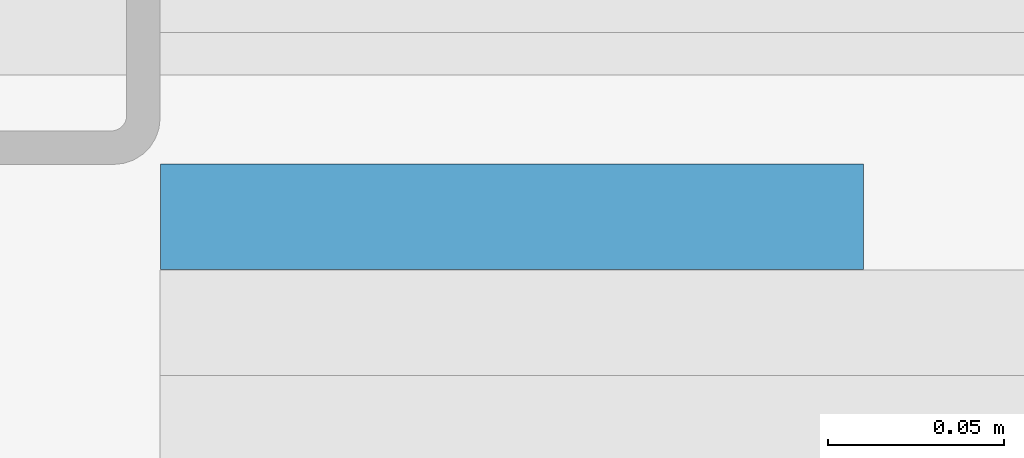
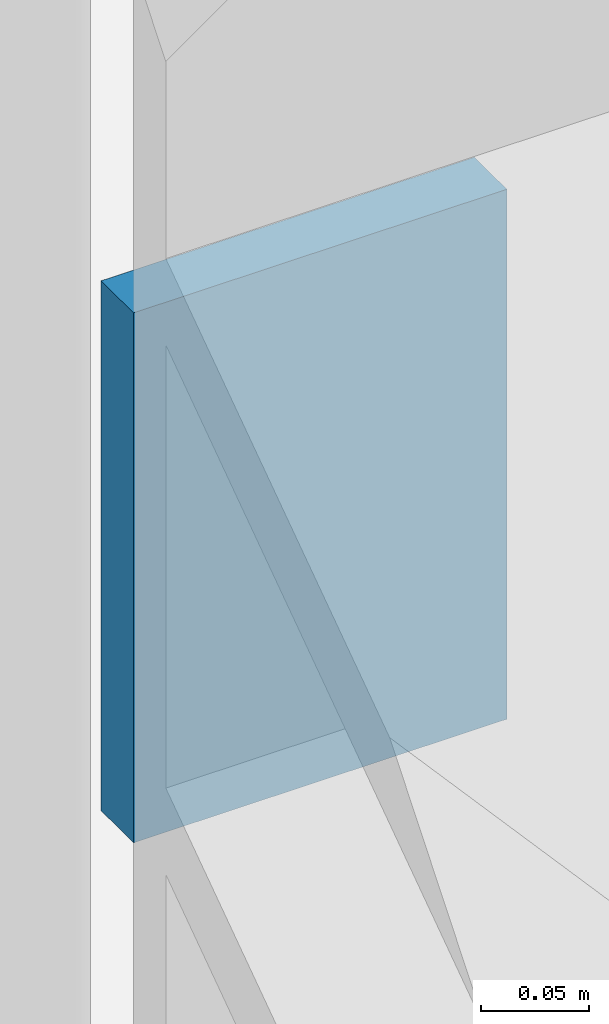
# One storey, part 19 of 29: 1 discrete accessory.
"""IFC4 building model written with IfcOpenShell, lengths in metres."""

from ifc_helpers import new_model, si_unit, direction, frame, origin, origin_2d, place, context, subcontext, project, spatial, rectangle, extrude, material, type_object, element, save


model = new_model("IFC4")

# Units and contexts
model_context = context("Model", 3, precision=1e-05, world=origin(), true_north=direction((0.0, 1.0)))
body_context = subcontext(model_context, "Body", "Model", "MODEL_VIEW")
ifc_project = project(units=[si_unit("LENGTHUNIT", "METRE"), si_unit("AREAUNIT", "SQUARE_METRE"), si_unit("VOLUMEUNIT", "CUBIC_METRE"), si_unit("PLANEANGLEUNIT", "RADIAN"), si_unit("MASSUNIT", "GRAM", prefix="KILO")], contexts=[model_context])

# Site, building, storey
site_placement = place(None, origin())
site = spatial("IfcSite", under=ifc_project, at=site_placement, CompositionType="ELEMENT")
building_placement = place(site_placement, origin())
building = spatial("IfcBuilding", under=site, at=building_placement, Name="Madar Terraces", CompositionType="ELEMENT")
storey_placement = place(building_placement, frame((0.0, 0.0, 296.300048828125)))
storey = spatial("IfcBuildingStorey", under=building, at=storey_placement, Name="L77", CompositionType="ELEMENT", Elevation=296.300048828125)

# Discrete accessory
ifc_material = material(Name="Steel, galvanised", Category="steel")
discrete_accessory_type = type_object("IfcDiscreteAccessoryType", Name="Louvre bank bracket", PredefinedType="BRACKET", material=ifc_material)
discrete_accessory_placement = place(storey_placement, frame((24.441650390625, 1.05810546875, 1.7490234375), z_axis=(0.0, 0.0, 1.0), x_axis=(1.0, 0.0, 0.0)))
element("IfcDiscreteAccessory", 1, at=discrete_accessory_placement, inside=storey, type_object=discrete_accessory_type, Name="Louvre bank bracket", PredefinedType="BRACKET", context=body_context, shape_type="SweptSolid", body=[
    extrude(rectangle(XDim=0.199951171875, YDim=0.030029296875, at=origin_2d()), origin(), (0.0, 0.0, 1.0), 0.300048828125),
])

save(model, "model.ifc")
